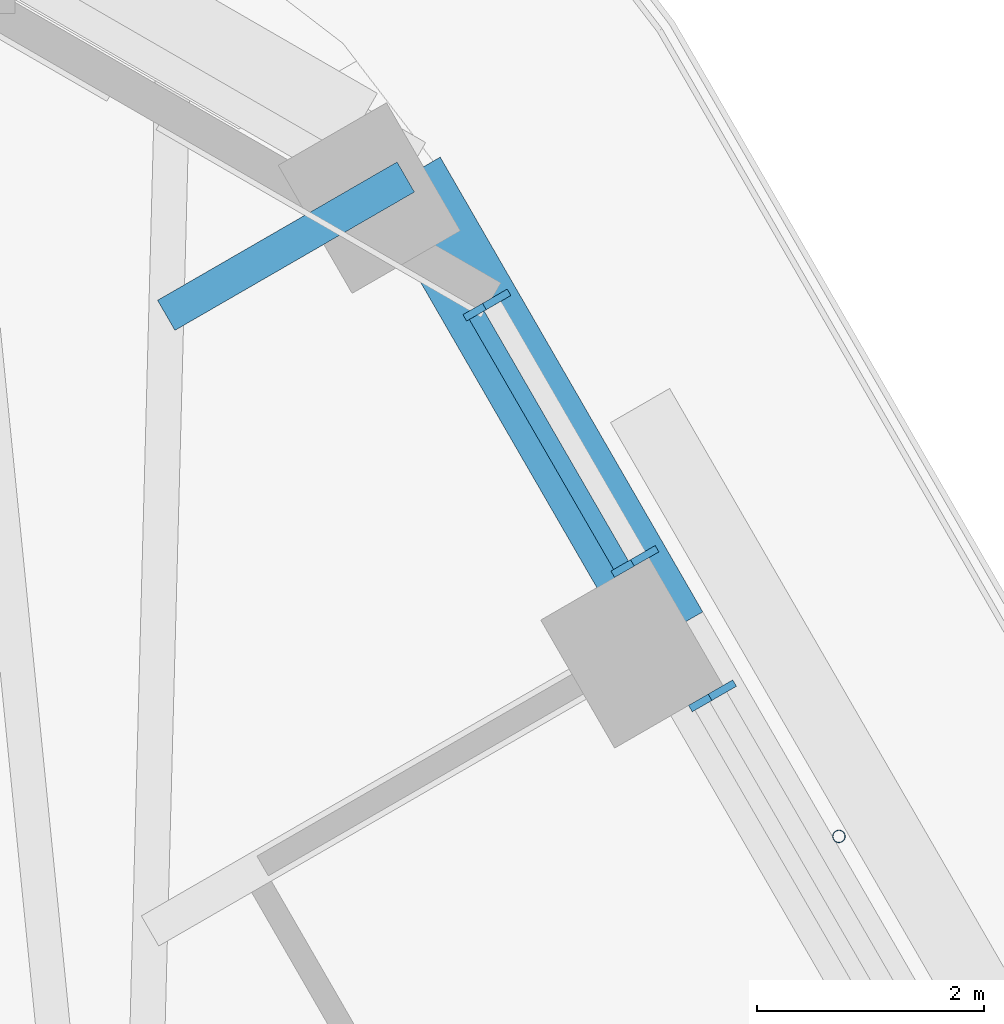
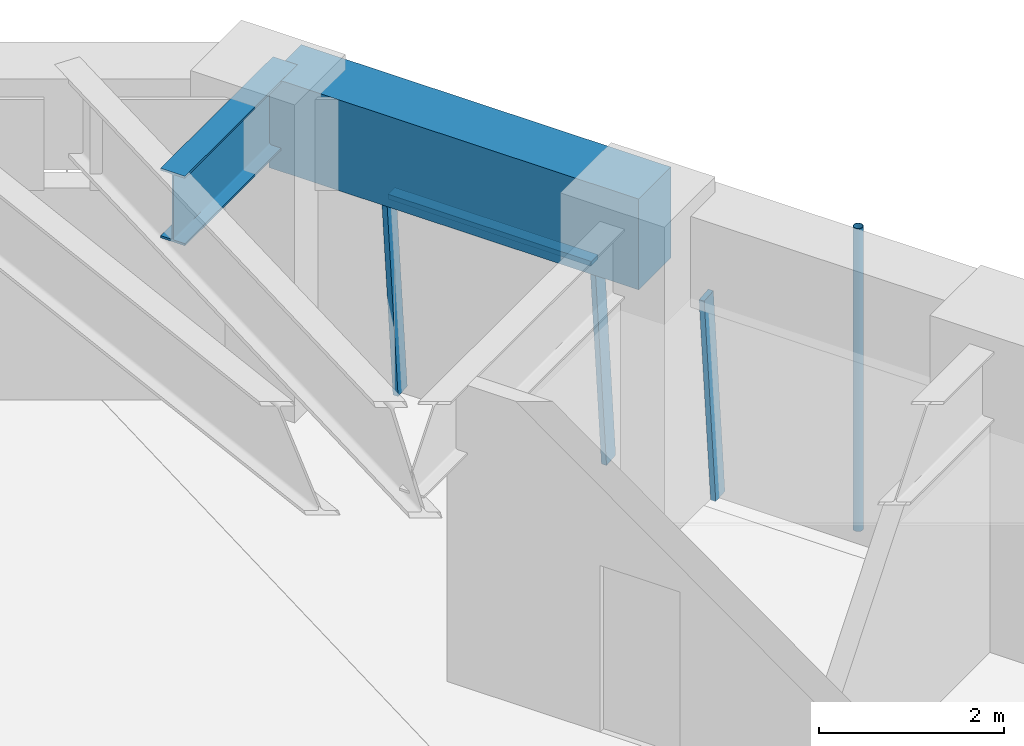
# One storey, part 12 of 20: 5 members, 2 beams, 2 elements without a shape of their own.
"""IFC4 building model written with IfcOpenShell, lengths in metres."""

from ifc_helpers import new_model, si_unit, direction, frame, origin, origin_2d, place, context, subcontext, project, spatial, rectangle, hollow_circle, i_section, extrude, material, material_profile, profile_set, type_object, element, aggregate, save


model = new_model("IFC4")

# Units and contexts
model_context = context("Model", 3, precision=1e-05, world=origin(), true_north=direction((0.0, 1.0)))
body_context = subcontext(model_context, "Body", "Model", "MODEL_VIEW")
ifc_project = project(units=[si_unit("LENGTHUNIT", "METRE"), si_unit("AREAUNIT", "SQUARE_METRE"), si_unit("VOLUMEUNIT", "CUBIC_METRE"), si_unit("PLANEANGLEUNIT", "RADIAN"), si_unit("MASSUNIT", "GRAM", prefix="KILO")], contexts=[model_context])

# Site, building, storey
site_placement = place(None, origin())
site = spatial("IfcSite", under=ifc_project, at=site_placement, CompositionType="ELEMENT")
building_placement = place(site_placement, origin())
building = spatial("IfcBuilding", under=site, at=building_placement, Name="Tarfa Lantern Tower", CompositionType="ELEMENT")
storey_placement = place(building_placement, frame((0.0, 0.0, 236.5)))
storey = spatial("IfcBuildingStorey", under=building, at=storey_placement, Name="L53", CompositionType="ELEMENT", Elevation=236.5)

# Curtain wall, member
ifc_material_1 = material(Name="Aluminium framed curtain wall", Category="aluminium")
curtain_wall_type = type_object("IfcCurtainWallType", Name="CW3 CANTED GLAZING HIGH ZONE 2800", PredefinedType="USERDEFINED", material=ifc_material_1)
curtain_wall_1_placement = place(storey_placement, origin())
curtain_wall_1 = element("IfcCurtainWall", 1, at=curtain_wall_1_placement, inside=storey, type_object=curtain_wall_type, Name="CW3 NE L53", ObjectType="CURTAIN WALL", PredefinedType="USERDEFINED")
ifc_material_2 = material(Name="Aluminium mullion", Category="aluminium")
ifc_material_profile_1 = material_profile(ifc_material_2, rectangle(XDim=0.06494140625, YDim=0.199951171875, at=origin_2d()), Name="AL MULLION 65x200")
ifc_profile_set_1 = profile_set([ifc_material_profile_1], Name="Aluminium mullion")
member_type_1 = type_object("IfcMemberType", Name="CWM1 MULLION 65x200", PredefinedType="MULLION", material=ifc_profile_set_1)
member_1_placement = place(storey_placement, frame((20.75048828125, 21.85888671875, 0.0), z_axis=(-0.076946055247, -0.044465440504, 0.996043236603), x_axis=(0.500342721131, -0.865827443207, 0.0)))
member_1 = element("IfcMember", 2, at=member_1_placement, type_object=member_type_1, Name="CW3 mullion 2", PredefinedType="MULLION", context=body_context, shape_type="SweptSolid", body=[
    extrude(rectangle(XDim=0.06494140625, YDim=0.199951171875, at=origin_2d()), origin(), (0.0, 0.0, 1.0), 2.811279296875),
])
aggregate(curtain_wall_1, [member_1])

# Curtain wall, members
curtain_wall_2_placement = place(storey_placement, origin())
curtain_wall_2 = element("IfcCurtainWall", 3, at=curtain_wall_2_placement, inside=storey, type_object=curtain_wall_type, Name="CW3 NE L53", ObjectType="CURTAIN WALL", PredefinedType="USERDEFINED")
member_2_placement = place(storey_placement, frame((20.068115234375, 23.041015625, 0.0), z_axis=(-0.077032386753, -0.044465143199, 0.996036576854), x_axis=(0.499919672301, -0.866071776036, 0.0)))
member_2 = element("IfcMember", 4, at=member_2_placement, type_object=member_type_1, Name="CW3 mullion 1", PredefinedType="MULLION", context=body_context, shape_type="SweptSolid", body=[
    extrude(rectangle(XDim=0.06494140625, YDim=0.199951171875, at=origin_2d()), origin(), (0.0, 0.0, 1.0), 2.811279296875),
])
member_3_placement = place(storey_placement, frame((18.76611328125, 25.296142578125, 0.0), z_axis=(-0.077032386753, -0.044465143199, 0.996036576854), x_axis=(0.499919672301, -0.866071776036, 0.0)))
member_3 = element("IfcMember", 5, at=member_3_placement, type_object=member_type_1, Name="CW3 mullion 2", PredefinedType="MULLION", context=body_context, shape_type="SweptSolid", body=[
    extrude(rectangle(XDim=0.06494140625, YDim=0.199951171875, at=origin_2d()), origin(), (0.0, 0.0, 1.0), 2.811279296875),
])
ifc_material_3 = material(Name="Aluminium transom", Category="aluminium")
ifc_material_profile_2 = material_profile(ifc_material_3, rectangle(XDim=0.14990234375, YDim=0.06494140625, at=origin_2d()), Name="AL TRANSOM 150x65")
ifc_profile_set_2 = profile_set([ifc_material_profile_2], Name="Aluminium transom")
member_type_2 = type_object("IfcMemberType", Name="CWT1 TRANSOM 150x65", PredefinedType="USERDEFINED", material=ifc_profile_set_2)
member_4_placement = place(storey_placement, frame((19.837890625, 22.945556640625, 2.767578125), z_axis=(-0.500027655771, 0.866009436129, 0.0), x_axis=(-0.866009436129, -0.500027655771, 0.0)))
member_4 = element("IfcMember", 6, at=member_4_placement, type_object=member_type_2, Name="CW3 transom 1.2", ObjectType="TRANSOM", PredefinedType="USERDEFINED", context=body_context, shape_type="SweptSolid", body=[
    extrude(rectangle(XDim=0.14990234375, YDim=0.06494140625, at=origin_2d()), origin(), (0.0, 0.0, 1.0), 2.538818359375),
])
aggregate(curtain_wall_2, [member_2, member_3, member_4])

# Beam
ifc_material_4 = material(Name="Concrete C80/95", Category="concrete")
ifc_material_profile_3 = material_profile(ifc_material_4, rectangle(XDim=0.699951171875, YDim=1.199951171875, at=origin_2d()), Name="RC 700x1200")
ifc_profile_set_3 = profile_set([ifc_material_profile_3], Name="Concrete C80/95")
beam_type_1 = type_object("IfcBeamType", Name="EB3 RC 700x1200", PredefinedType="SPANDREL", material=ifc_profile_set_3)
beam_1_placement = place(storey_placement, frame((20.25341796875, 22.360107421875, 3.39990234375), z_axis=(-0.499987836815, 0.866032426089, 0.0), x_axis=(-0.866032426089, -0.499987836815, 0.0)))
element("IfcBeam", 7, at=beam_1_placement, inside=storey, type_object=beam_type_1, Name="Edge beam NE5", PredefinedType="SPANDREL", context=body_context, shape_type="SweptSolid", body=[
    extrude(rectangle(XDim=0.699951171875, YDim=1.199951171875, at=origin_2d()), origin(), (0.0, 0.0, 1.0), 4.61865234375),
])

# Member
ifc_material_5 = material(Name="Steel S355", Category="steel")
ifc_material_profile_4 = material_profile(ifc_material_5, hollow_circle(Radius=0.05712890625, WallThickness=0.00634765625, at=origin_2d()), Name="CHS114.3x6.3")
ifc_profile_set_4 = profile_set([ifc_material_profile_4], Name="Steel S355")
member_type_3 = type_object("IfcMemberType", Name="TR1 GREEN WALL TRELLIS CHS114.3x6.3", PredefinedType="USERDEFINED", material=ifc_profile_set_4)
member_5_placement = place(storey_placement, frame((21.754638671875, 20.56005859375, 0.0), z_axis=(0.0, 0.0, 1.0), x_axis=(1.0, 0.0, 0.0)))
element("IfcMember", 8, at=member_5_placement, inside=storey, type_object=member_type_3, Name="Trellis post NE 2", ObjectType="TRELLIS", PredefinedType="USERDEFINED", context=body_context, shape_type="SweptSolid", body=[
    extrude(hollow_circle(Radius=0.05712890625, WallThickness=0.00634765625, at=origin_2d()), origin(), (0.0, 0.0, 1.0), 4.0),
])

# Beam
ifc_material_6 = material(Name="Steel S460M", Category="steel")
ifc_material_profile_5 = material_profile(ifc_material_6, i_section(OverallWidth=0.305419921875, OverallDepth=0.91845703125, WebThickness=0.017333984375, FlangeThickness=0.02783203125, FilletRadius=0.01904296875, at=origin_2d()), Name="UB914x305x253")
ifc_profile_set_5 = profile_set([ifc_material_profile_5], Name="Steel S460M")
beam_type_2 = type_object("IfcBeamType", Name="UB914x305x253", PredefinedType="BEAM", material=ifc_profile_set_5)
beam_2_placement = place(storey_placement, frame((17.944091796875, 26.360107421875, 3.540771484375), z_axis=(-0.865980009423, -0.5000786171, 0.0), x_axis=(0.5000786171, -0.865980009423, 0.0)))
element("IfcBeam", 9, at=beam_2_placement, inside=storey, type_object=beam_type_2, Name="Floor beam NE6", PredefinedType="BEAM", context=body_context, shape_type="SweptSolid", body=[
    extrude(i_section(OverallWidth=0.305419921875, OverallDepth=0.91845703125, WebThickness=0.017333984375, FlangeThickness=0.02783203125, FilletRadius=0.01904296875, at=origin_2d()), origin(), (0.0, 0.0, 1.0), 2.4326171875),
])

save(model, "model.ifc")
